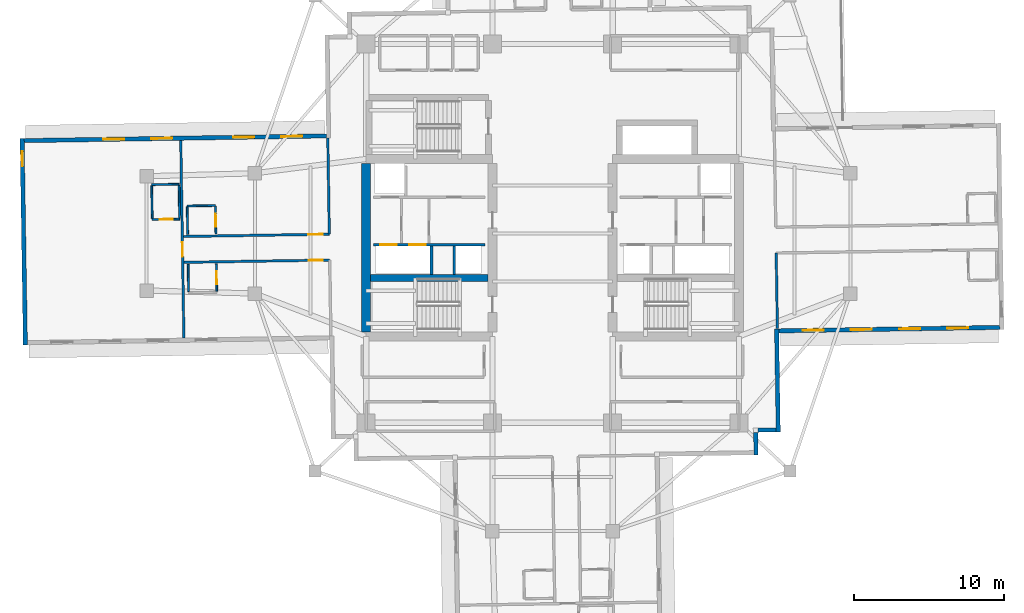
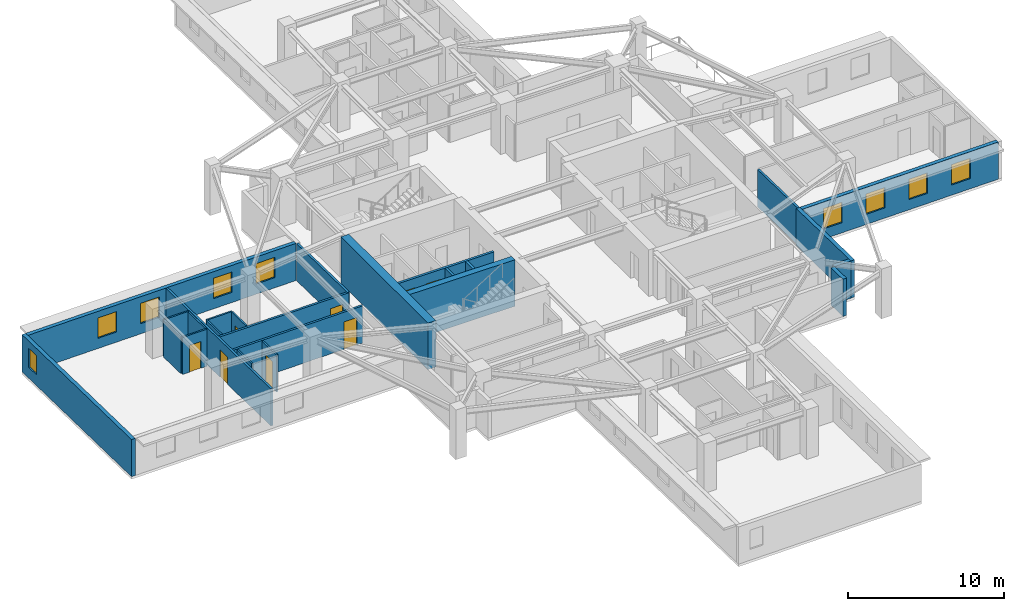
# One storey, part 4 of 13: 25 walls, 9 windows, 8 doors, 17 openings.
"""IFC4 building model written with IfcOpenShell, lengths in metres."""

from ifc_helpers import new_model, si_unit, direction, frame, frame_2d, origin, place, context, subcontext, project, spatial, rectangle, extrude, material, layer, layer_set, type_object, element, fill, save


model = new_model("IFC4")

# Units and contexts
model_context = context("Model", 3, precision=1e-05, world=origin(), true_north=direction((0.0, 1.0)))
body_context = subcontext(model_context, "Body", "Model", "MODEL_VIEW")
ifc_project = project(units=[si_unit("LENGTHUNIT", "METRE"), si_unit("AREAUNIT", "SQUARE_METRE"), si_unit("VOLUMEUNIT", "CUBIC_METRE"), si_unit("PLANEANGLEUNIT", "RADIAN"), si_unit("MASSUNIT", "GRAM", prefix="KILO")], contexts=[model_context])

# Site, building, storey
site_placement = place(None, origin())
site = spatial("IfcSite", under=ifc_project, at=site_placement, CompositionType="ELEMENT")
building_placement = place(site_placement, origin())
building = spatial("IfcBuilding", under=site, at=building_placement, Name="Qingluan Cross Belvedere", CompositionType="ELEMENT")
storey_placement = place(building_placement, frame((0.0, 0.0, 187.800048828125)))
storey = spatial("IfcBuildingStorey", under=building, at=storey_placement, Name="L47", CompositionType="ELEMENT", Elevation=187.800048828125)

# Walls
ifc_material_1 = material(Name="Concrete C50", Category="concrete")
ifc_layer_1 = layer(ifc_material_1, 0.449951171875, Name="CoreShearWall_450")
ifc_layer_set_1 = layer_set([ifc_layer_1], Name="Concrete C50")
wall_type_1 = type_object("IfcWallType", Name="CoreShearWall_450", PredefinedType="SHEAR", material=ifc_layer_set_1)
wall_1_placement = place(storey_placement, frame((-12.094970703125, -2.9599609375, 0.0), z_axis=(0.0, 0.0, 1.0), x_axis=(1.0, 0.0, 0.0)))
element("IfcWall", 1, at=wall_1_placement, inside=storey, type_object=wall_type_1, Name="Split core W shear wall L47-M", PredefinedType="SHEAR", context=body_context, shape_type="SweptSolid", body=[
    extrude(rectangle(XDim=7.7900390625, YDim=0.449951171875, at=frame_2d((3.89501953125, 0.0))), origin(), (0.0, 0.0, 1.0), 3.64990234375),
])
ifc_material_2 = material(Name="Concrete C60", Category="concrete")
ifc_layer_2 = layer(ifc_material_2, 0.60009765625, Name="CoreShearWall_600")
ifc_layer_set_2 = layer_set([ifc_layer_2], Name="Concrete C60")
wall_type_2 = type_object("IfcWallType", Name="CoreShearWall_600", PredefinedType="SHEAR", material=ifc_layer_set_2)
wall_2_placement = place(storey_placement, frame((-12.39990234375, -6.544921875, 0.0), z_axis=(0.0, 0.0, 1.0), x_axis=(0.0, 1.0, 0.0)))
element("IfcWall", 2, at=wall_2_placement, inside=storey, type_object=wall_type_2, Name="Split core W shear wall L47-W", PredefinedType="SHEAR", context=body_context, shape_type="SweptSolid", body=[
    extrude(rectangle(XDim=11.18994140625, YDim=0.60009765625, at=frame_2d((5.594970703125, 0.0))), origin(), (0.0, 0.0, 1.0), 3.64990234375),
])
ifc_material_3 = material(Name="Gypsum plasterboard on steel stud acoustic partition", Category="steel")
ifc_layer_3 = layer(ifc_material_3, 0.159912109375, Name="CorridorPartition_160")
ifc_layer_set_3 = layer_set([ifc_layer_3], Name="Gypsum plasterboard on steel stud acoustic partition")
wall_type_3 = type_object("IfcWallType", Name="CorridorPartition_160", PredefinedType="PARTITIONING", material=ifc_layer_set_3)
wall_3_placement = place(storey_placement, frame((14.872314453125, -1.306640625, 0.0), z_axis=(0.0, 0.0, 1.0), x_axis=(0.015720106939, -0.999876431484, 0.0)))
element("IfcWall", 3, at=wall_3_placement, inside=storey, type_object=wall_type_3, Name="Partition L47:E:s1", PredefinedType="PARTITIONING", context=body_context, shape_type="SweptSolid", body=[
    extrude(rectangle(XDim=5.031982421875, YDim=0.159912109375, at=frame_2d((2.51611328125, 0.0))), origin(), (0.0, 0.0, 1.0), 2.909912109375),
])

# Wall, opening, door
wall_4_placement = place(storey_placement, frame((-14.85107421875, -0.05322265625, 0.0), z_axis=(0.0, 0.0, 1.0), x_axis=(-0.999876658521, -0.015705659641, 0.0)))
wall_4 = element("IfcWall", 4, at=wall_4_placement, inside=storey, type_object=wall_type_3, Name="Partition L47:W:c0", PredefinedType="PARTITIONING", context=body_context, shape_type="SweptSolid", body=[
    extrude(rectangle(XDim=9.699951171875, YDim=0.159912109375, at=frame_2d((4.85009765625, 0.0))), origin(), (0.0, 0.0, 1.0), 2.909912109375),
])
opening_1_placement = place(wall_4_placement, frame((0.449951171875, 0.0, 0.0)))
opening_1 = element("IfcOpeningElement", 5, at=opening_1_placement, cuts=wall_4, Name="Opening GD-10", PredefinedType="OPENING", context=body_context, shape_type="SweptSolid", body=[
    extrude(rectangle(XDim=0.9599609375, YDim=2.14990234375, at=frame_2d((0.47998046875, 1.074951171875))), frame((0.0, 0.08984375, 0.0), z_axis=(0.0, -1.0, 0.0), x_axis=(1.0, 0.0, 0.0)), (0.0, 0.0, 1.0), 0.179931640625),
])
ifc_material_4 = material(Name="Timber oak fire-rated acoustic guestroom door", Category="wood")
door_type_1 = type_object("IfcDoorType", Name="GuestEntryDoor_FD60", OperationType="NOTDEFINED", PredefinedType="DOOR", material=ifc_material_4)
door_1_placement = place(opening_1_placement, origin())
door_1 = element("IfcDoor", 6, at=door_1_placement, inside=storey, type_object=door_type_1, Name="Guest entry fire door 4703", OperationType="SINGLE_SWING_RIGHT", OverallHeight=2.14990234375, OverallWidth=0.9599609375, PredefinedType="DOOR", context=body_context, shape_type="SweptSolid", body=[
    extrude(rectangle(XDim=0.9599609375, YDim=2.14990234375, at=frame_2d((0.47998046875, 1.074951171875))), frame((0.0, 0.02490234375, 0.0), z_axis=(0.0, -1.0, 0.0), x_axis=(1.0, 0.0, 0.0)), (0.0, 0.0, 1.0), 0.050048828125),
])
fill(opening_1, door_1)

# Wall
wall_5_placement = place(storey_placement, frame((-14.85107421875, -0.05322265625, 0.0), z_axis=(0.0, 0.0, 1.0), x_axis=(-0.015698271615, 0.999876774542, 0.0)))
element("IfcWall", 7, at=wall_5_placement, inside=storey, type_object=wall_type_3, Name="Partition L47:W:s0", PredefinedType="PARTITIONING", context=body_context, shape_type="SweptSolid", body=[
    extrude(rectangle(XDim=6.391845703125, YDim=0.159912109375, at=frame_2d((3.19580078125, 0.0))), origin(), (0.0, 0.0, 1.0), 2.909912109375),
])

# Wall, opening, door
wall_6_placement = place(storey_placement, frame((-14.823974609375, -1.773193359375, 0.0), z_axis=(0.0, 0.0, 1.0), x_axis=(-0.999877053457, -0.015680496509, 0.0)))
wall_6 = element("IfcWall", 8, at=wall_6_placement, inside=storey, type_object=wall_type_3, Name="Partition L47:W:c1", PredefinedType="PARTITIONING", context=body_context, shape_type="SweptSolid", body=[
    extrude(rectangle(XDim=9.699951171875, YDim=0.159912109375, at=frame_2d((4.85009765625, 0.0))), origin(), (0.0, 0.0, 1.0), 2.909912109375),
])
opening_2_placement = place(wall_6_placement, frame((0.449951171875, 0.0, 0.0)))
opening_2 = element("IfcOpeningElement", 9, at=opening_2_placement, cuts=wall_6, Name="Opening GD-10", PredefinedType="OPENING", context=body_context, shape_type="SweptSolid", body=[
    extrude(rectangle(XDim=0.9599609375, YDim=2.14990234375, at=frame_2d((0.47998046875, 1.074951171875))), frame((0.0, 0.08984375, 0.0), z_axis=(0.0, -1.0, 0.0), x_axis=(1.0, 0.0, 0.0)), (0.0, 0.0, 1.0), 0.179931640625),
])
door_2_placement = place(opening_2_placement, origin())
door_2 = element("IfcDoor", 10, at=door_2_placement, inside=storey, type_object=door_type_1, Name="Guest entry fire door 4704", OperationType="SINGLE_SWING_RIGHT", OverallHeight=2.14990234375, OverallWidth=0.9599609375, PredefinedType="DOOR", context=body_context, shape_type="SweptSolid", body=[
    extrude(rectangle(XDim=0.9599609375, YDim=2.14990234375, at=frame_2d((0.47998046875, 1.074951171875))), frame((0.0, 0.02490234375, 0.0), z_axis=(0.0, -1.0, 0.0), x_axis=(1.0, 0.0, 0.0)), (0.0, 0.0, 1.0), 0.050048828125),
])
fill(opening_2, door_2)

wall_7_placement = place(storey_placement, frame((-24.523681640625, -6.9580078125, 0.0), z_axis=(0.0, 0.0, 1.0), x_axis=(-0.015713911007, 0.999876528878, 0.0)))
wall_7 = element("IfcWall", 11, at=wall_7_placement, inside=storey, type_object=wall_type_3, Name="Partition L47:Wcap:in", PredefinedType="PARTITIONING", context=body_context, shape_type="SweptSolid", body=[
    extrude(rectangle(XDim=13.14404296875, YDim=0.159912109375, at=frame_2d((6.572021484375, 0.0))), origin(), (0.0, 0.0, 1.0), 2.909912109375),
])
opening_3_placement = place(wall_7_placement, frame((5.412109375, 0.0, 0.0)))
opening_3 = element("IfcOpeningElement", 12, at=opening_3_placement, cuts=wall_7, Name="Opening GD-10", PredefinedType="OPENING", context=body_context, shape_type="SweptSolid", body=[
    extrude(rectangle(XDim=0.9599609375, YDim=2.14990234375, at=frame_2d((0.47998046875, 1.074951171875))), frame((0.0, 0.08984375, 0.0), z_axis=(0.0, -1.0, 0.0), x_axis=(1.0, 0.0, 0.0)), (0.0, 0.0, 1.0), 0.179931640625),
])
door_3_placement = place(opening_3_placement, origin())
door_3 = element("IfcDoor", 13, at=door_3_placement, inside=storey, type_object=door_type_1, Name="Presidential suite entrance door L47W", OperationType="SINGLE_SWING_LEFT", OverallHeight=2.14990234375, OverallWidth=0.9599609375, PredefinedType="DOOR", context=body_context, shape_type="SweptSolid", body=[
    extrude(rectangle(XDim=0.9599609375, YDim=2.14990234375, at=frame_2d((0.47998046875, 1.074951171875))), frame((0.0, 0.02490234375, 0.0), z_axis=(0.0, -1.0, 0.0), x_axis=(1.0, 0.0, 0.0)), (0.0, 0.0, 1.0), 0.050048828125),
])
fill(opening_3, door_3)

ifc_material_5 = material(Name="Moisture-resistant gypsum board lining")
ifc_layer_4 = layer(ifc_material_5, 0.1201171875, Name="EnsuiteWetPartition_120")
ifc_layer_set_4 = layer_set([ifc_layer_4], Name="Moisture-resistant gypsum board lining")
wall_type_4 = type_object("IfcWallType", Name="EnsuiteWetPartition_120", PredefinedType="PARTITIONING", material=ifc_layer_set_4)
wall_8_placement = place(storey_placement, frame((-22.392333984375, -0.03173828125, 0.0), z_axis=(0.0, 0.0, 1.0), x_axis=(-0.015694337248, 0.999876836305, 0.0)))
wall_8 = element("IfcWall", 14, at=wall_8_placement, inside=storey, type_object=wall_type_4, Name="Partition L47:W:bs0_0", PredefinedType="PARTITIONING", context=body_context, shape_type="SweptSolid", body=[
    extrude(rectangle(XDim=1.820068359375, YDim=0.1201171875, at=frame_2d((0.91015625, 0.0))), origin(), (0.0, 0.0, 1.0), 2.909912109375),
])
opening_4_placement = place(wall_8_placement, frame((0.469970703125, 0.0, 0.0)))
opening_4 = element("IfcOpeningElement", 15, at=opening_4_placement, cuts=wall_8, Name="Opening BD-09", PredefinedType="OPENING", context=body_context, shape_type="SweptSolid", body=[
    extrude(rectangle(XDim=0.8798828125, YDim=2.10009765625, at=frame_2d((0.43994140625, 1.050048828125))), frame((0.0, 0.070068359375, 0.0), z_axis=(0.0, -1.0, 0.0), x_axis=(1.0, 0.0, 0.0)), (0.0, 0.0, 1.0), 0.14013671875),
])
ifc_material_6 = material(Name="Moisture-sealed timber en-suite door", Category="wood")
door_type_2 = type_object("IfcDoorType", Name="BathroomDoor_880", OperationType="NOTDEFINED", PredefinedType="DOOR", material=ifc_material_6)
door_4_placement = place(opening_4_placement, origin())
door_4 = element("IfcDoor", 16, at=door_4_placement, inside=storey, type_object=door_type_2, Name="Bathroom door 4703", OperationType="SINGLE_SWING_LEFT", OverallHeight=2.10009765625, OverallWidth=0.8798828125, PredefinedType="DOOR", context=body_context, shape_type="SweptSolid", body=[
    extrude(rectangle(XDim=0.8798828125, YDim=2.10009765625, at=frame_2d((0.43994140625, 1.050048828125))), frame((0.0, 0.02490234375, 0.0), z_axis=(0.0, -1.0, 0.0), x_axis=(1.0, 0.0, 0.0)), (0.0, 0.0, 1.0), 0.050048828125),
])
fill(opening_4, door_4)

# Walls
wall_9_placement = place(storey_placement, frame((-24.27197265625, -0.061279296875, 0.0), z_axis=(0.0, 0.0, 1.0), x_axis=(-0.015694337248, 0.999876836305, 0.0)))
element("IfcWall", 17, at=wall_9_placement, inside=storey, type_object=wall_type_4, Name="Partition L47:W:bw0_0", PredefinedType="PARTITIONING", context=body_context, shape_type="SweptSolid", body=[
    extrude(rectangle(XDim=1.820068359375, YDim=0.1201171875, at=frame_2d((0.91015625, 0.0))), origin(), (0.0, 0.0, 1.0), 2.909912109375),
])
wall_10_placement = place(storey_placement, frame((-22.421875, 1.85302734375, 0.0), z_axis=(0.0, 0.0, 1.0), x_axis=(-0.99987652141, -0.015714386166, 0.0)))
element("IfcWall", 18, at=wall_10_placement, inside=storey, type_object=wall_type_4, Name="Partition L47:W:bn0_0", PredefinedType="PARTITIONING", context=body_context, shape_type="SweptSolid", body=[
    extrude(rectangle(XDim=1.8798828125, YDim=0.1201171875, at=frame_2d((0.93994140625, 0.0))), origin(), (0.0, 0.0, 1.0), 2.909912109375),
])

# Wall, opening, door
wall_11_placement = place(storey_placement, frame((-22.332275390625, -3.851318359375, 0.0), z_axis=(0.0, 0.0, 1.0), x_axis=(-0.015694337248, 0.999876836305, 0.0)))
wall_11 = element("IfcWall", 19, at=wall_11_placement, inside=storey, type_object=wall_type_4, Name="Partition L47:W:bs1_0", PredefinedType="PARTITIONING", context=body_context, shape_type="SweptSolid", body=[
    extrude(rectangle(XDim=1.820068359375, YDim=0.1201171875, at=frame_2d((0.91015625, 0.0))), origin(), (0.0, 0.0, 1.0), 2.909912109375),
])
opening_5_placement = place(wall_11_placement, frame((0.469970703125, 0.0, 0.0)))
opening_5 = element("IfcOpeningElement", 20, at=opening_5_placement, cuts=wall_11, Name="Opening BD-09", PredefinedType="OPENING", context=body_context, shape_type="SweptSolid", body=[
    extrude(rectangle(XDim=0.8798828125, YDim=2.10009765625, at=frame_2d((0.43994140625, 1.050048828125))), frame((0.0, 0.070068359375, 0.0), z_axis=(0.0, -1.0, 0.0), x_axis=(1.0, 0.0, 0.0)), (0.0, 0.0, 1.0), 0.14013671875),
])
door_5_placement = place(opening_5_placement, origin())
door_5 = element("IfcDoor", 21, at=door_5_placement, inside=storey, type_object=door_type_2, Name="Bathroom door 4704", OperationType="SINGLE_SWING_LEFT", OverallHeight=2.10009765625, OverallWidth=0.8798828125, PredefinedType="DOOR", context=body_context, shape_type="SweptSolid", body=[
    extrude(rectangle(XDim=0.8798828125, YDim=2.10009765625, at=frame_2d((0.43994140625, 1.050048828125))), frame((0.0, 0.02490234375, 0.0), z_axis=(0.0, -1.0, 0.0), x_axis=(1.0, 0.0, 0.0)), (0.0, 0.0, 1.0), 0.050048828125),
])
fill(opening_5, door_5)

# Walls
wall_12_placement = place(storey_placement, frame((-24.2119140625, -3.880859375, 0.0), z_axis=(0.0, 0.0, 1.0), x_axis=(-0.015694337248, 0.999876836305, 0.0)))
element("IfcWall", 22, at=wall_12_placement, inside=storey, type_object=wall_type_4, Name="Partition L47:W:bw1_0", PredefinedType="PARTITIONING", context=body_context, shape_type="SweptSolid", body=[
    extrude(rectangle(XDim=1.820068359375, YDim=0.1201171875, at=frame_2d((0.91015625, 0.0))), origin(), (0.0, 0.0, 1.0), 2.909912109375),
])
for number, where, z_axis, x_axis, name in (
    (23, (-24.80908203125, 1.0205078125, 0.0), (0.0, 0.0, 1.0), (-0.015679076008, 0.999877075733, 0.0), "Partition L47:Wcap:ba"),
    (24, (-26.62890625, 0.991943359375, 0.0), (0.0, 0.0, 1.0), (-0.015679076008, 0.999877075733, 0.0), "Partition L47:Wcap:bb"),
):
    element("IfcWall", number, at=place(storey_placement, frame(where, z_axis=z_axis, x_axis=x_axis)), inside=storey, type_object=wall_type_4, Name=name, PredefinedType="PARTITIONING", context=body_context, shape_type="SweptSolid", body=[
        extrude(rectangle(XDim=2.179931640625, YDim=0.1201171875, at=frame_2d((1.08984375, 0.0))), origin(), (0.0, 0.0, 1.0), 2.909912109375),
    ])

# Wall, opening, door
wall_13_placement = place(storey_placement, frame((-24.80810546875, 0.950439453125, 0.0), z_axis=(0.0, 0.0, 1.0), x_axis=(-0.999876803258, -0.015696442504, 0.0)))
wall_13 = element("IfcWall", 25, at=wall_13_placement, inside=storey, type_object=wall_type_4, Name="Partition L47:Wcap:bs", PredefinedType="PARTITIONING", context=body_context, shape_type="SweptSolid", body=[
    extrude(rectangle(XDim=1.81982421875, YDim=0.1201171875, at=frame_2d((0.909912109375, 0.0))), origin(), (0.0, 0.0, 1.0), 2.909912109375),
])
opening_6_placement = place(wall_13_placement, frame((0.449951171875, 0.0, 0.0)))
opening_6 = element("IfcOpeningElement", 26, at=opening_6_placement, cuts=wall_13, Name="Opening BD-09", PredefinedType="OPENING", context=body_context, shape_type="SweptSolid", body=[
    extrude(rectangle(XDim=0.8798828125, YDim=2.10009765625, at=frame_2d((0.43994140625, 1.050048828125))), frame((0.0, 0.070068359375, 0.0), z_axis=(0.0, -1.0, 0.0), x_axis=(1.0, 0.0, 0.0)), (0.0, 0.0, 1.0), 0.14013671875),
])
door_6_placement = place(opening_6_placement, origin())
door_6 = element("IfcDoor", 27, at=door_6_placement, inside=storey, type_object=door_type_2, Name="En-suite bathroom door L47W", OperationType="SINGLE_SWING_RIGHT", OverallHeight=2.10009765625, OverallWidth=0.8798828125, PredefinedType="DOOR", context=body_context, shape_type="SweptSolid", body=[
    extrude(rectangle(XDim=0.8798828125, YDim=2.10009765625, at=frame_2d((0.43994140625, 1.050048828125))), frame((0.0, 0.02490234375, 0.0), z_axis=(0.0, -1.0, 0.0), x_axis=(1.0, 0.0, 0.0)), (0.0, 0.0, 1.0), 0.050048828125),
])
fill(opening_6, door_6)

# Wall
wall_14_placement = place(storey_placement, frame((-24.844482421875, 3.270263671875, 0.0), z_axis=(0.0, 0.0, 1.0), x_axis=(-0.999876836305, -0.015694337248, 0.0)))
element("IfcWall", 28, at=wall_14_placement, inside=storey, type_object=wall_type_4, Name="Partition L47:Wcap:bn", PredefinedType="PARTITIONING", context=body_context, shape_type="SweptSolid", body=[
    extrude(rectangle(XDim=1.820068359375, YDim=0.1201171875, at=frame_2d((0.91015625, 0.0))), origin(), (0.0, 0.0, 1.0), 2.909912109375),
])

# Wall, openings, windows
ifc_material_7 = material(Name="Precast concrete C45", Category="concrete")
ifc_layer_5 = layer(ifc_material_7, 0.280029296875, Name="PrecastFacadeWall_280")
ifc_layer_set_5 = layer_set([ifc_layer_5], Name="Precast concrete C45")
wall_type_5 = type_object("IfcWallType", Name="PrecastFacadeWall_280", PredefinedType="STANDARD", material=ifc_layer_set_5)
wall_15_placement = place(storey_placement, frame((15.043701171875, -6.484619140625, 0.0), z_axis=(0.0, 0.0, 1.0), x_axis=(0.999876569875, 0.015711302158, 0.0)))
wall_15 = element("IfcWall", 29, at=wall_15_placement, inside=storey, type_object=wall_type_5, Name="Facade wall L47-EA", PredefinedType="STANDARD", context=body_context, shape_type="SweptSolid", body=[
    extrude(rectangle(XDim=14.699951171875, YDim=0.280029296875, at=frame_2d((7.35009765625, 0.0))), origin(), (0.0, 0.0, 1.0), 2.919921875),
])
opening_7_placement = place(wall_15_placement, frame((1.60009765625, 0.0, 0.800048828125)))
opening_7 = element("IfcOpeningElement", 30, at=opening_7_placement, cuts=wall_15, Name="Opening W-01", PredefinedType="OPENING", context=body_context, shape_type="SweptSolid", body=[
    extrude(rectangle(XDim=1.39990234375, YDim=1.60009765625, at=frame_2d((0.699951171875, 0.800048828125))), frame((0.0, 0.14990234375, 0.0), z_axis=(0.0, -1.0, 0.0), x_axis=(1.0, 0.0, 0.0)), (0.0, 0.0, 1.0), 0.300048828125),
])
opening_8_placement = place(wall_15_placement, frame((4.800048828125, 0.0, 0.800048828125)))
opening_8 = element("IfcOpeningElement", 31, at=opening_8_placement, cuts=wall_15, Name="Opening W-01", PredefinedType="OPENING", context=body_context, shape_type="SweptSolid", body=[
    extrude(rectangle(XDim=1.39990234375, YDim=1.60009765625, at=frame_2d((0.699951171875, 0.800048828125))), frame((0.0, 0.14990234375, 0.0), z_axis=(0.0, -1.0, 0.0), x_axis=(1.0, 0.0, 0.0)), (0.0, 0.0, 1.0), 0.300048828125),
])
opening_9_placement = place(wall_15_placement, frame((8.0, 0.0, 0.800048828125)))
opening_9 = element("IfcOpeningElement", 32, at=opening_9_placement, cuts=wall_15, Name="Opening W-01", PredefinedType="OPENING", context=body_context, shape_type="SweptSolid", body=[
    extrude(rectangle(XDim=1.39990234375, YDim=1.60009765625, at=frame_2d((0.699951171875, 0.800048828125))), frame((0.0, 0.14990234375, 0.0), z_axis=(0.0, -1.0, 0.0), x_axis=(1.0, 0.0, 0.0)), (0.0, 0.0, 1.0), 0.300048828125),
])
opening_10_placement = place(wall_15_placement, frame((11.199951171875, 0.0, 0.800048828125)))
opening_10 = element("IfcOpeningElement", 33, at=opening_10_placement, cuts=wall_15, Name="Opening W-01", PredefinedType="OPENING", context=body_context, shape_type="SweptSolid", body=[
    extrude(rectangle(XDim=1.39990234375, YDim=1.60009765625, at=frame_2d((0.699951171875, 0.800048828125))), frame((0.0, 0.14990234375, 0.0), z_axis=(0.0, -1.0, 0.0), x_axis=(1.0, 0.0, 0.0)), (0.0, 0.0, 1.0), 0.300048828125),
])
ifc_material_8 = material(Name="Thermally broken triple Low-E glass in aluminium frame", Category="aluminium")
window_type_1 = type_object("IfcWindowType", Name="TriRibbonWin_1400x1600", PartitioningType="SINGLE_PANEL", PredefinedType="WINDOW", material=ifc_material_8)
window_1_placement = place(opening_7_placement, origin())
window_1 = element("IfcWindow", 34, at=window_1_placement, inside=storey, type_object=window_type_1, Name="Ribbon window L47-EA-1", OverallHeight=1.60009765625, OverallWidth=1.39990234375, PartitioningType="SINGLE_PANEL", PredefinedType="WINDOW", context=body_context, shape_type="SweptSolid", body=[
    extrude(rectangle(XDim=1.39990234375, YDim=1.60009765625, at=frame_2d((0.699951171875, 0.800048828125))), frame((0.0, 0.030029296875, 0.0), z_axis=(0.0, -1.0, 0.0), x_axis=(1.0, 0.0, 0.0)), (0.0, 0.0, 1.0), 0.06005859375),
])
fill(opening_7, window_1)
window_2_placement = place(opening_8_placement, origin())
window_2 = element("IfcWindow", 35, at=window_2_placement, inside=storey, type_object=window_type_1, Name="Ribbon window L47-EA-2", OverallHeight=1.60009765625, OverallWidth=1.39990234375, PartitioningType="SINGLE_PANEL", PredefinedType="WINDOW", context=body_context, shape_type="SweptSolid", body=[
    extrude(rectangle(XDim=1.39990234375, YDim=1.60009765625, at=frame_2d((0.699951171875, 0.800048828125))), frame((0.0, 0.030029296875, 0.0), z_axis=(0.0, -1.0, 0.0), x_axis=(1.0, 0.0, 0.0)), (0.0, 0.0, 1.0), 0.06005859375),
])
fill(opening_8, window_2)
window_3_placement = place(opening_9_placement, origin())
window_3 = element("IfcWindow", 36, at=window_3_placement, inside=storey, type_object=window_type_1, Name="Ribbon window L47-EA-3", OverallHeight=1.60009765625, OverallWidth=1.39990234375, PartitioningType="SINGLE_PANEL", PredefinedType="WINDOW", context=body_context, shape_type="SweptSolid", body=[
    extrude(rectangle(XDim=1.39990234375, YDim=1.60009765625, at=frame_2d((0.699951171875, 0.800048828125))), frame((0.0, 0.030029296875, 0.0), z_axis=(0.0, -1.0, 0.0), x_axis=(1.0, 0.0, 0.0)), (0.0, 0.0, 1.0), 0.06005859375),
])
fill(opening_9, window_3)
window_4_placement = place(opening_10_placement, origin())
window_4 = element("IfcWindow", 37, at=window_4_placement, inside=storey, type_object=window_type_1, Name="Ribbon window L47-EA-4", OverallHeight=1.60009765625, OverallWidth=1.39990234375, PartitioningType="SINGLE_PANEL", PredefinedType="WINDOW", context=body_context, shape_type="SweptSolid", body=[
    extrude(rectangle(XDim=1.39990234375, YDim=1.60009765625, at=frame_2d((0.699951171875, 0.800048828125))), frame((0.0, 0.030029296875, 0.0), z_axis=(0.0, -1.0, 0.0), x_axis=(1.0, 0.0, 0.0)), (0.0, 0.0, 1.0), 0.06005859375),
])
fill(opening_10, window_4)

wall_16_placement = place(storey_placement, frame((-15.043701171875, 6.484619140625, 0.0), z_axis=(0.0, 0.0, 1.0), x_axis=(-0.999876474133, -0.01571739401, 0.0)))
wall_16 = element("IfcWall", 38, at=wall_16_placement, inside=storey, type_object=wall_type_5, Name="Facade wall L47-WA", PredefinedType="STANDARD", context=body_context, shape_type="SweptSolid", body=[
    extrude(rectangle(XDim=20.099853515625, YDim=0.280029296875, at=frame_2d((10.0498046875, 0.0))), origin(), (0.0, 0.0, 1.0), 2.919921875),
])
opening_11_placement = place(wall_16_placement, frame((1.60009765625, 0.0, 0.800048828125)))
opening_11 = element("IfcOpeningElement", 39, at=opening_11_placement, cuts=wall_16, Name="Opening W-01", PredefinedType="OPENING", context=body_context, shape_type="SweptSolid", body=[
    extrude(rectangle(XDim=1.39990234375, YDim=1.60009765625, at=frame_2d((0.699951171875, 0.800048828125))), frame((0.0, 0.14990234375, 0.0), z_axis=(0.0, -1.0, 0.0), x_axis=(1.0, 0.0, 0.0)), (0.0, 0.0, 1.0), 0.300048828125),
])
opening_12_placement = place(wall_16_placement, frame((4.800048828125, 0.0, 0.800048828125)))
opening_12 = element("IfcOpeningElement", 40, at=opening_12_placement, cuts=wall_16, Name="Opening W-01", PredefinedType="OPENING", context=body_context, shape_type="SweptSolid", body=[
    extrude(rectangle(XDim=1.39990234375, YDim=1.60009765625, at=frame_2d((0.699951171875, 0.800048828125))), frame((0.0, 0.14990234375, 0.0), z_axis=(0.0, -1.0, 0.0), x_axis=(1.0, 0.0, 0.0)), (0.0, 0.0, 1.0), 0.300048828125),
])
opening_13_placement = place(wall_16_placement, frame((10.25, 0.0, 0.800048828125)))
opening_13 = element("IfcOpeningElement", 41, at=opening_13_placement, cuts=wall_16, Name="Opening W-01", PredefinedType="OPENING", context=body_context, shape_type="SweptSolid", body=[
    extrude(rectangle(XDim=1.39990234375, YDim=1.60009765625, at=frame_2d((0.699951171875, 0.800048828125))), frame((0.0, 0.14990234375, 0.0), z_axis=(0.0, -1.0, 0.0), x_axis=(1.0, 0.0, 0.0)), (0.0, 0.0, 1.0), 0.300048828125),
])
opening_14_placement = place(wall_16_placement, frame((13.449951171875, 0.0, 0.800048828125)))
opening_14 = element("IfcOpeningElement", 42, at=opening_14_placement, cuts=wall_16, Name="Opening W-01", PredefinedType="OPENING", context=body_context, shape_type="SweptSolid", body=[
    extrude(rectangle(XDim=1.39990234375, YDim=1.60009765625, at=frame_2d((0.699951171875, 0.800048828125))), frame((0.0, 0.14990234375, 0.0), z_axis=(0.0, -1.0, 0.0), x_axis=(1.0, 0.0, 0.0)), (0.0, 0.0, 1.0), 0.300048828125),
])
window_5_placement = place(opening_11_placement, origin())
window_5 = element("IfcWindow", 43, at=window_5_placement, inside=storey, type_object=window_type_1, Name="Ribbon window L47-WA-1", OverallHeight=1.60009765625, OverallWidth=1.39990234375, PartitioningType="SINGLE_PANEL", PredefinedType="WINDOW", context=body_context, shape_type="SweptSolid", body=[
    extrude(rectangle(XDim=1.39990234375, YDim=1.60009765625, at=frame_2d((0.699951171875, 0.800048828125))), frame((0.0, 0.030029296875, 0.0), z_axis=(0.0, -1.0, 0.0), x_axis=(1.0, 0.0, 0.0)), (0.0, 0.0, 1.0), 0.06005859375),
])
fill(opening_11, window_5)
window_6_placement = place(opening_12_placement, origin())
window_6 = element("IfcWindow", 44, at=window_6_placement, inside=storey, type_object=window_type_1, Name="Ribbon window L47-WA-2", OverallHeight=1.60009765625, OverallWidth=1.39990234375, PartitioningType="SINGLE_PANEL", PredefinedType="WINDOW", context=body_context, shape_type="SweptSolid", body=[
    extrude(rectangle(XDim=1.39990234375, YDim=1.60009765625, at=frame_2d((0.699951171875, 0.800048828125))), frame((0.0, 0.030029296875, 0.0), z_axis=(0.0, -1.0, 0.0), x_axis=(1.0, 0.0, 0.0)), (0.0, 0.0, 1.0), 0.06005859375),
])
fill(opening_12, window_6)
window_7_placement = place(opening_13_placement, origin())
window_7 = element("IfcWindow", 45, at=window_7_placement, inside=storey, type_object=window_type_1, Name="Ribbon window L47-WA-3", OverallHeight=1.60009765625, OverallWidth=1.39990234375, PartitioningType="SINGLE_PANEL", PredefinedType="WINDOW", context=body_context, shape_type="SweptSolid", body=[
    extrude(rectangle(XDim=1.39990234375, YDim=1.60009765625, at=frame_2d((0.699951171875, 0.800048828125))), frame((0.0, 0.030029296875, 0.0), z_axis=(0.0, -1.0, 0.0), x_axis=(1.0, 0.0, 0.0)), (0.0, 0.0, 1.0), 0.06005859375),
])
fill(opening_13, window_7)
window_8_placement = place(opening_14_placement, origin())
window_8 = element("IfcWindow", 46, at=window_8_placement, inside=storey, type_object=window_type_1, Name="Ribbon window L47-WA-4", OverallHeight=1.60009765625, OverallWidth=1.39990234375, PartitioningType="SINGLE_PANEL", PredefinedType="WINDOW", context=body_context, shape_type="SweptSolid", body=[
    extrude(rectangle(XDim=1.39990234375, YDim=1.60009765625, at=frame_2d((0.699951171875, 0.800048828125))), frame((0.0, 0.030029296875, 0.0), z_axis=(0.0, -1.0, 0.0), x_axis=(1.0, 0.0, 0.0)), (0.0, 0.0, 1.0), 0.06005859375),
])
fill(opening_14, window_8)

# Wall, opening, window
wall_17_placement = place(storey_placement, frame((-35.283447265625, 6.306640625, 0.0), z_axis=(0.0, 0.0, 1.0), x_axis=(0.015712599986, -0.999876549481, 0.0)))
wall_17 = element("IfcWall", 47, at=wall_17_placement, inside=storey, type_object=wall_type_5, Name="Arm tip precast facade wall L47-W", PredefinedType="STANDARD", context=body_context, shape_type="SweptSolid", body=[
    extrude(rectangle(XDim=13.719970703125, YDim=0.280029296875, at=frame_2d((6.85986328125, 0.0))), origin(), (0.0, 0.0, 1.0), 2.919921875),
])
opening_15_placement = place(wall_17_placement, frame((0.85009765625, 0.0, 0.85009765625)))
opening_15 = element("IfcOpeningElement", 48, at=opening_15_placement, cuts=wall_17, Name="Opening W-03", PredefinedType="OPENING", context=body_context, shape_type="SweptSolid", body=[
    extrude(rectangle(XDim=1.0, YDim=1.5, at=frame_2d((0.5, 0.75))), frame((0.0, 0.14990234375, 0.0), z_axis=(0.0, -1.0, 0.0), x_axis=(1.0, 0.0, 0.0)), (0.0, 0.0, 1.0), 0.300048828125),
])
ifc_material_9 = material(Name="Thermally broken triple Low-E glass in aluminium frame", Category="aluminium")
window_type_2 = type_object("IfcWindowType", Name="TriApexWin_1000x1500", PartitioningType="SINGLE_PANEL", PredefinedType="WINDOW", material=ifc_material_9)
window_9_placement = place(opening_15_placement, origin())
window_9 = element("IfcWindow", 49, at=window_9_placement, inside=storey, type_object=window_type_2, Name="Arm tip triangular window L47-W", OverallHeight=1.5, OverallWidth=1.0, PartitioningType="SINGLE_PANEL", PredefinedType="WINDOW", context=body_context, shape_type="SweptSolid", body=[
    extrude(rectangle(XDim=1.0, YDim=1.5, at=frame_2d((0.5, 0.75))), frame((0.0, 0.030029296875, 0.0), z_axis=(0.0, -1.0, 0.0), x_axis=(1.0, 0.0, 0.0)), (0.0, 0.0, 1.0), 0.06005859375),
])
fill(opening_15, window_9)

# Walls
wall_18_placement = place(storey_placement, frame((14.901611328125, -6.3466796875, 0.0), z_axis=(0.0, 0.0, 1.0), x_axis=(0.015694809807, -0.999876828887, 0.0)))
element("IfcWall", 50, at=wall_18_placement, inside=storey, type_object=wall_type_5, Name="Corner wall L47-SE1", PredefinedType="STANDARD", context=body_context, shape_type="SweptSolid", body=[
    extrude(rectangle(XDim=6.85986328125, YDim=0.280029296875, at=frame_2d((3.429931640625, 0.0))), origin(), (0.0, 0.0, 1.0), 2.919921875),
])
wall_19_placement = place(storey_placement, frame((14.8671875, -13.068115234375, 0.0), z_axis=(0.0, 0.0, 1.0), x_axis=(-0.999875053502, -0.015807510352, 0.0)))
element("IfcWall", 51, at=wall_19_placement, inside=storey, type_object=wall_type_5, Name="Corner wall L47-SE2", PredefinedType="STANDARD", context=body_context, shape_type="SweptSolid", body=[
    extrude(rectangle(XDim=1.22021484375, YDim=0.280029296875, at=frame_2d((0.610107421875, 0.0))), origin(), (0.0, 0.0, 1.0), 2.919921875),
])
wall_20_placement = place(storey_placement, frame((13.509521484375, -13.2294921875, 0.0), z_axis=(0.0, 0.0, 1.0), x_axis=(0.015625635615, -0.999877912303, 0.0)))
element("IfcWall", 52, at=wall_20_placement, inside=storey, type_object=wall_type_5, Name="Corner wall L47-SE3", PredefinedType="STANDARD", context=body_context, shape_type="SweptSolid", body=[
    extrude(rectangle(XDim=1.5, YDim=0.280029296875, at=frame_2d((0.75, 0.0))), origin(), (0.0, 0.0, 1.0), 2.919921875),
])

# Wall, openings, doors
ifc_material_10 = material(Name="Concrete C40", Category="concrete")
ifc_layer_6 = layer(ifc_material_10, 0.219970703125, Name="ShaftEnclosureWall_250")
ifc_layer_set_6 = layer_set([ifc_layer_6], Name="Concrete C40")
wall_type_6 = type_object("IfcWallType", Name="ShaftEnclosureWall_250", PredefinedType="SOLIDWALL", material=ifc_layer_set_6)
wall_21_placement = place(storey_placement, frame((-11.89990234375, -0.75, 0.0), z_axis=(0.0, 0.0, 1.0), x_axis=(1.0, 0.0, 0.0)))
wall_21 = element("IfcWall", 53, at=wall_21_placement, inside=storey, type_object=wall_type_6, Name="Core-W mid hoistway wall L47", PredefinedType="SOLIDWALL", context=body_context, shape_type="SweptSolid", body=[
    extrude(rectangle(XDim=7.419921875, YDim=0.179931640625, at=frame_2d((3.7099609375, 0.0))), origin(), (0.0, 0.0, 1.0), 2.909912109375),
])
opening_16_placement = place(wall_21_placement, frame((0.449951171875, 0.0, 0.0)))
opening_16 = element("IfcOpeningElement", 54, at=opening_16_placement, cuts=wall_21, Name="Opening LD-11", PredefinedType="OPENING", context=body_context, shape_type="SweptSolid", body=[
    extrude(rectangle(XDim=1.10009765625, YDim=2.14990234375, at=frame_2d((0.550048828125, 1.074951171875))), frame((0.0, 0.099853515625, 0.0), z_axis=(0.0, -1.0, 0.0), x_axis=(1.0, 0.0, 0.0)), (0.0, 0.0, 1.0), 0.199951171875),
])
opening_17_placement = place(wall_21_placement, frame((2.35009765625, 0.0, 0.0)))
opening_17 = element("IfcOpeningElement", 55, at=opening_17_placement, cuts=wall_21, Name="Opening LD-11", PredefinedType="OPENING", context=body_context, shape_type="SweptSolid", body=[
    extrude(rectangle(XDim=1.10009765625, YDim=2.14990234375, at=frame_2d((0.550048828125, 1.074951171875))), frame((0.0, 0.099853515625, 0.0), z_axis=(0.0, -1.0, 0.0), x_axis=(1.0, 0.0, 0.0)), (0.0, 0.0, 1.0), 0.199951171875),
])
ifc_material_11 = material(Name="Brushed stainless steel centre-opening lift landing door", Category="steel")
door_type_3 = type_object("IfcDoorType", Name="LiftLandingSlidingDoor_1100", OperationType="DOUBLE_DOOR_SLIDING", PredefinedType="DOOR", material=ifc_material_11)
door_7_placement = place(opening_16_placement, origin())
door_7 = element("IfcDoor", 56, at=door_7_placement, inside=storey, type_object=door_type_3, Name="Lift landing sliding door LP5 L47", OperationType="DOUBLE_DOOR_SLIDING", OverallHeight=2.14990234375, OverallWidth=1.10009765625, PredefinedType="DOOR", context=body_context, shape_type="SweptSolid", body=[
    extrude(rectangle(XDim=1.10009765625, YDim=2.14990234375, at=frame_2d((0.550048828125, 1.074951171875))), frame((0.0, 0.02490234375, 0.0), z_axis=(0.0, -1.0, 0.0), x_axis=(1.0, 0.0, 0.0)), (0.0, 0.0, 1.0), 0.050048828125),
])
fill(opening_16, door_7)
door_8_placement = place(opening_17_placement, origin())
door_8 = element("IfcDoor", 57, at=door_8_placement, inside=storey, type_object=door_type_3, Name="Lift landing sliding door LP6 L47", OperationType="DOUBLE_DOOR_SLIDING", OverallHeight=2.14990234375, OverallWidth=1.10009765625, PredefinedType="DOOR", context=body_context, shape_type="SweptSolid", body=[
    extrude(rectangle(XDim=1.10009765625, YDim=2.14990234375, at=frame_2d((0.550048828125, 1.074951171875))), frame((0.0, 0.02490234375, 0.0), z_axis=(0.0, -1.0, 0.0), x_axis=(1.0, 0.0, 0.0)), (0.0, 0.0, 1.0), 0.050048828125),
])
fill(opening_17, door_8)

# Walls
for number, where, z_axis, x_axis, name in (
    (58, (-8.06005859375, -2.72998046875, 0.0), (0.0, 0.0, 1.0), (0.0, 1.0, 0.0), "Hoistway enclosure divider LP6E L47"),
    (59, (-6.5400390625, -2.72998046875, 0.0), (0.0, 0.0, 1.0), (0.0, 1.0, 0.0), "Hoistway enclosure divider LP8W L47"),
):
    element("IfcWall", number, at=place(storey_placement, frame(where, z_axis=z_axis, x_axis=x_axis)), inside=storey, type_object=wall_type_6, Name=name, PredefinedType="SOLIDWALL", context=body_context, shape_type="SweptSolid", body=[
        extrude(rectangle(XDim=1.889892578125, YDim=0.179931640625, at=frame_2d((0.94482421875, 0.0))), origin(), (0.0, 0.0, 1.0), 2.909912109375),
    ])

save(model, "model.ifc")
